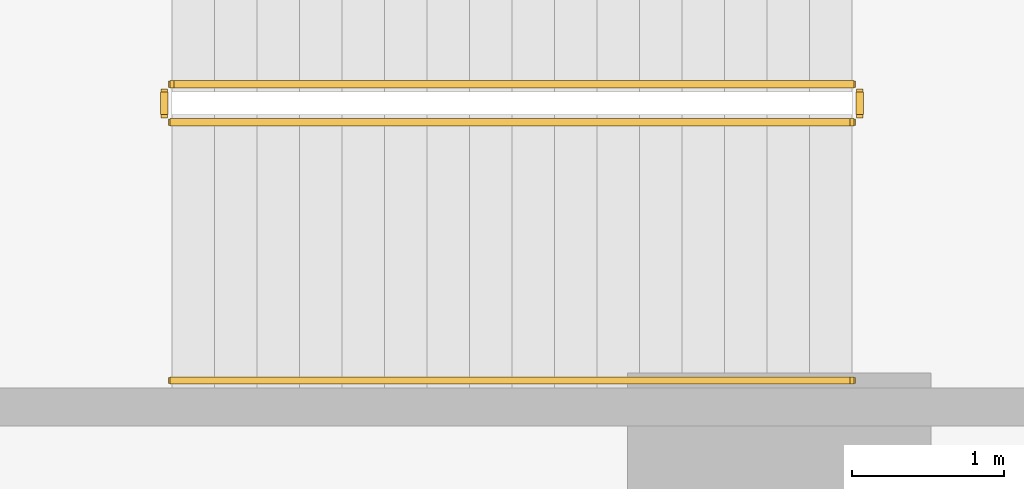
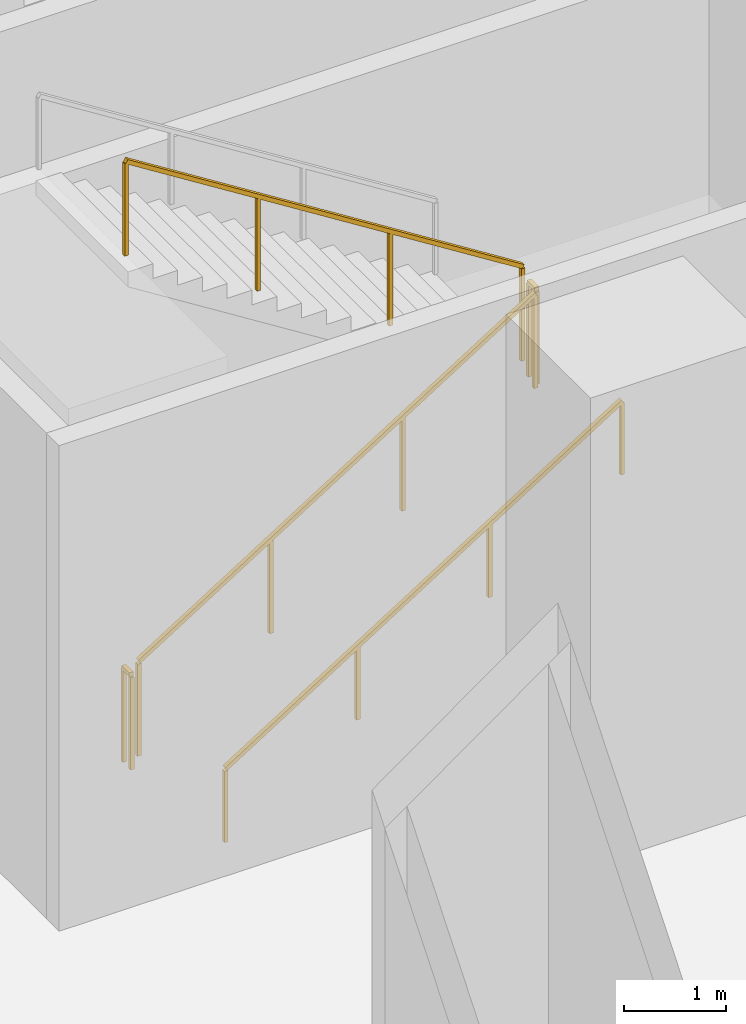
# One storey, part 9 of 16: 5 railings.
"""IFC4 building model written with IfcOpenShell, lengths in metres."""

from ifc_helpers import new_model, si_unit, direction, frame, origin, origin_2d, place, context, subcontext, project, spatial, rectangle, extrude, source, transform, mapped, material, type_object, element, save


model = new_model("IFC4")

# Units and contexts
model_context = context("Model", 3, precision=1e-05, world=origin(), true_north=direction((0.0, 1.0)))
body_context = subcontext(model_context, "Body", "Model", "MODEL_VIEW")
ifc_project = project(units=[si_unit("LENGTHUNIT", "METRE"), si_unit("AREAUNIT", "SQUARE_METRE"), si_unit("VOLUMEUNIT", "CUBIC_METRE"), si_unit("PLANEANGLEUNIT", "RADIAN"), si_unit("MASSUNIT", "GRAM", prefix="KILO")], contexts=[model_context])

# Site, building, storey
site_placement = place(None, origin())
site = spatial("IfcSite", under=ifc_project, at=site_placement, CompositionType="ELEMENT")
building_placement = place(site_placement, origin())
building = spatial("IfcBuilding", under=site, at=building_placement, Name="Vardaveli Station Tower", CompositionType="ELEMENT")
storey_placement = place(building_placement, frame((0.0, 0.0, -6.0)))
storey = spatial("IfcBuildingStorey", under=building, at=storey_placement, Name="B01", CompositionType="ELEMENT", Elevation=-6.0)

# Railings
ifc_material = material(Name="Brushed AISI 316 stainless steel", Category="steel")
railing_type_1 = type_object("IfcRailingType", Name="RL-GUARD-1150", PredefinedType="GUARDRAIL", material=ifc_material)
shared_shape_1 = source(origin(), body_context, "Body", "SweptSolid", [
    extrude(rectangle(XDim=0.048095703125, YDim=0.048095703125, at=origin_2d()), frame((0.0, 0.0, 1.1259765625), z_axis=(0.0, 1.0, 0.0), x_axis=(-1.0, 0.0, 0.0)), (0.0, 0.0, 1.0), 0.14990234375),
    extrude(rectangle(XDim=0.0419921875, YDim=0.0419921875, at=origin_2d()), origin(), (0.0, 0.0, 1.0), 1.101806640625),
    extrude(rectangle(XDim=0.0419921875, YDim=0.0419921875, at=origin_2d()), frame((0.0, 0.14990234375, 0.0)), (0.0, 0.0, 1.0), 1.101806640625),
])
for number, where, name in (
    (1, (60.530029296875, 31.60009765625, 3.0), "B01 ST-S2 stair guard 2"),
    (2, (55.949951171875, 31.60009765625, 0.0), "B01 ST-S2 stair guard 4"),
):
    element("IfcRailing", number, at=place(storey_placement, frame(where)), inside=storey, type_object=railing_type_1, Name=name, PredefinedType="GUARDRAIL", context=body_context, shape_type="MappedRepresentation", body=[
        mapped(shared_shape_1, transform((0.0, 0.0, 0.0), scale=1.0)),
    ])
shared_shape_2 = source(origin(), body_context, "Body", "SweptSolid", [
    extrude(rectangle(XDim=0.048095703125, YDim=0.048095703125, at=origin_2d()), frame((0.0, 0.0, 1.1259765625), z_axis=(0.845997938375, 0.0, 0.533186166611), x_axis=(0.0, 1.0, 0.0)), (0.0, 0.0, 1.0), 5.29541015625),
    extrude(rectangle(XDim=0.0419921875, YDim=0.0419921875, at=origin_2d()), origin(), (0.0, 0.0, 1.0), 1.101806640625),
    extrude(rectangle(XDim=0.0419921875, YDim=0.0419921875, at=origin_2d()), frame((1.493408203125, 0.0, 0.941162109375)), (0.0, 0.0, 1.0), 1.101806640625),
    extrude(rectangle(XDim=0.0419921875, YDim=0.0419921875, at=origin_2d()), frame((2.986572265625, 0.0, 1.88232421875)), (0.0, 0.0, 1.0), 1.101806640625),
    extrude(rectangle(XDim=0.0419921875, YDim=0.0419921875, at=origin_2d()), frame((4.47998046875, 0.0, 2.823486328125)), (0.0, 0.0, 1.0), 1.101806640625),
])
railing_1_placement = place(storey_placement, frame((56.0, 31.550048828125, 0.176513671875)))
element("IfcRailing", 3, at=railing_1_placement, inside=storey, type_object=railing_type_1, Name="B01 ST-S2 stair guard 1", PredefinedType="GUARDRAIL", context=body_context, shape_type="MappedRepresentation", body=[
    mapped(shared_shape_2, transform((0.0, 0.0, 0.0), scale=1.0)),
])
shared_shape_3 = source(origin(), body_context, "Body", "SweptSolid", [
    extrude(rectangle(XDim=0.048095703125, YDim=0.048095703125, at=origin_2d()), frame((0.0, 0.0, 1.1259765625), z_axis=(-0.845997938375, 0.0, 0.533186166611), x_axis=(0.0, -1.0, 0.0)), (0.0, 0.0, 1.0), 5.29541015625),
    extrude(rectangle(XDim=0.0419921875, YDim=0.0419921875, at=origin_2d()), origin(), (0.0, 0.0, 1.0), 1.101806640625),
    extrude(rectangle(XDim=0.0419921875, YDim=0.0419921875, at=origin_2d()), frame((-1.493408203125, 0.0, 0.941162109375)), (0.0, 0.0, 1.0), 1.101806640625),
    extrude(rectangle(XDim=0.0419921875, YDim=0.0419921875, at=origin_2d()), frame((-2.986572265625, 0.0, 1.88232421875)), (0.0, 0.0, 1.0), 1.101806640625),
    extrude(rectangle(XDim=0.0419921875, YDim=0.0419921875, at=origin_2d()), frame((-4.47998046875, 0.0, 2.823486328125)), (0.0, 0.0, 1.0), 1.101806640625),
])
railing_2_placement = place(storey_placement, frame((60.47998046875, 31.800048828125, 3.176513671875)))
element("IfcRailing", 4, at=railing_2_placement, inside=storey, type_object=railing_type_1, Name="B01 ST-S2 stair guard 3", PredefinedType="GUARDRAIL", context=body_context, shape_type="MappedRepresentation", body=[
    mapped(shared_shape_3, transform((0.0, 0.0, 0.0), scale=1.0)),
])
railing_type_2 = type_object("IfcRailingType", Name="RL-HAND-900", PredefinedType="HANDRAIL", material=ifc_material)
shared_shape_4 = source(origin(), body_context, "Body", "SweptSolid", [
    extrude(rectangle(XDim=0.048095703125, YDim=0.048095703125, at=origin_2d()), frame((0.0, 0.0, 0.8759765625), z_axis=(0.845997938375, 0.0, 0.533186166611), x_axis=(0.0, 1.0, 0.0)), (0.0, 0.0, 1.0), 5.29541015625),
    extrude(rectangle(XDim=0.0419921875, YDim=0.0419921875, at=origin_2d()), origin(), (0.0, 0.0, 1.0), 0.851806640625),
    extrude(rectangle(XDim=0.0419921875, YDim=0.0419921875, at=origin_2d()), frame((1.493408203125, 0.0, 0.941162109375)), (0.0, 0.0, 1.0), 0.851806640625),
    extrude(rectangle(XDim=0.0419921875, YDim=0.0419921875, at=origin_2d()), frame((2.986572265625, 0.0, 1.88232421875)), (0.0, 0.0, 1.0), 0.851806640625),
    extrude(rectangle(XDim=0.0419921875, YDim=0.0419921875, at=origin_2d()), frame((4.47998046875, 0.0, 2.823486328125)), (0.0, 0.0, 1.0), 0.851806640625),
])
railing_3_placement = place(storey_placement, frame((56.0, 29.85009765625, 0.176513671875)))
element("IfcRailing", 5, at=railing_3_placement, inside=storey, type_object=railing_type_2, Name="B01 ST-S2 stair handrail 1", PredefinedType="HANDRAIL", context=body_context, shape_type="MappedRepresentation", body=[
    mapped(shared_shape_4, transform((0.0, 0.0, 0.0), scale=1.0)),
])

save(model, "model.ifc")
